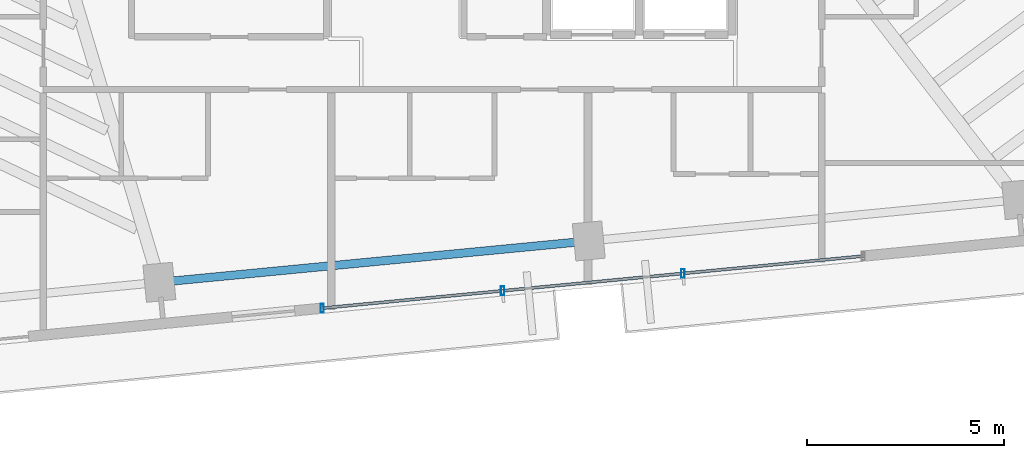
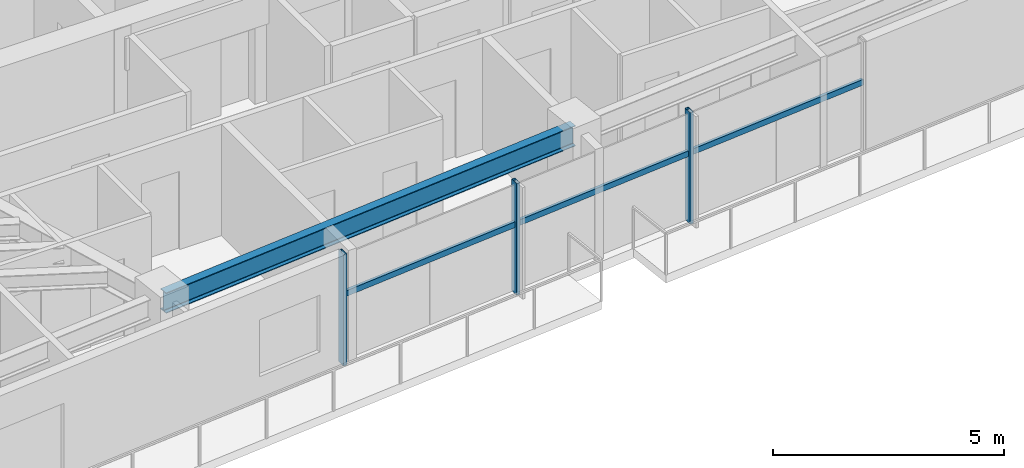
# One storey, part 4 of 18: 6 members, 1 beam, 1 element without a shape of its own.
"""IFC4 building model written with IfcOpenShell, lengths in metres."""

from ifc_helpers import new_model, si_unit, direction, frame, origin, origin_2d, place, context, subcontext, project, spatial, hollow_rectangle, i_section, extrude, source, transform, mapped, material, material_profile, profile_set, type_object, type_shapes, element, aggregate, save


model = new_model("IFC4")

# Units and contexts
model_context = context("Model", 3, precision=1e-05, world=origin(), true_north=direction((0.0, 1.0)))
body_context = subcontext(model_context, "Body", "Model", "MODEL_VIEW")
ifc_project = project(units=[si_unit("LENGTHUNIT", "METRE"), si_unit("AREAUNIT", "SQUARE_METRE"), si_unit("VOLUMEUNIT", "CUBIC_METRE"), si_unit("PLANEANGLEUNIT", "RADIAN"), si_unit("MASSUNIT", "GRAM", prefix="KILO")], contexts=[model_context])

# Site, building, storey
site_placement = place(None, origin())
site = spatial("IfcSite", under=ifc_project, at=site_placement, CompositionType="ELEMENT")
building_placement = place(site_placement, origin())
building = spatial("IfcBuilding", under=site, at=building_placement, Name="Astriad Promenade Condominiums", CompositionType="ELEMENT")
storey_placement = place(building_placement, frame((0.0, 0.0, 195.39990234375)))
storey = spatial("IfcBuildingStorey", under=building, at=storey_placement, Name="L56", CompositionType="ELEMENT", Elevation=195.39990234375)

# Beam
ifc_material_1 = material(Name="Steel ASTM A992 Grade 50", Category="steel")
ifc_material_profile_1 = material_profile(ifc_material_1, i_section(OverallWidth=0.210693359375, OverallDepth=0.53955078125, WebThickness=0.01171875, FlangeThickness=0.018798828125, FilletRadius=0.0166015625, at=origin_2d()), Name="W21X73")
ifc_profile_set_1 = profile_set([ifc_material_profile_1], Name="Steel ASTM A992 Grade 50")
beam_type = type_object("IfcBeamType", Name="STEEL SPANDREL BEAM W21X73", PredefinedType="SPANDREL", material=ifc_profile_set_1)
shared_shape_1 = source(origin(), body_context, "Body", "SweptSolid", [
    extrude(i_section(OverallWidth=0.210693359375, OverallDepth=0.53955078125, WebThickness=0.01171875, FlangeThickness=0.018798828125, FilletRadius=0.0166015625, at=origin_2d()), origin(), (0.0, 0.0, 1.0), 10.8701171875),
])
type_shapes(beam_type, [shared_shape_1])
beam_placement = place(storey_placement, frame((29.10888671875, 8.47119140625, 2.67041015625), z_axis=(0.995394986184, 0.09585834069, 0.0), x_axis=(-0.09585834069, 0.995394986184, 0.0)))
element("IfcBeam", 1, at=beam_placement, inside=storey, type_object=beam_type, Name="Perimeter Spandrel Beam SP-S2-L56", PredefinedType="SPANDREL", context=body_context, shape_type="MappedRepresentation", body=[
    mapped(shared_shape_1, transform((0.0, 0.0, 0.0), scale=1.0)),
])

# Curtain wall, members
ifc_material_2 = material(Name="Anodised aluminium Black Dark Glass Unitised", Category="aluminium")
curtain_wall_type = type_object("IfcCurtainWallType", Name="CW-B34-DARK", PredefinedType="USERDEFINED", material=ifc_material_2)
curtain_wall_placement = place(storey_placement, origin())
curtain_wall = element("IfcCurtainWall", 2, at=curtain_wall_placement, inside=storey, type_object=curtain_wall_type, Name="CW-L56-S", ObjectType="UNITISED_CURTAIN_WALL", PredefinedType="USERDEFINED")
ifc_material_3 = material(Name="Anodised aluminium 6063-T6 Black", Category="aluminium")
ifc_material_profile_2 = material_profile(ifc_material_3, hollow_rectangle(XDim=0.0849609375, YDim=0.219970703125, WallThickness=0.0048828125, at=origin_2d()), Name="ALU-MUL-85X220")
ifc_profile_set_2 = profile_set([ifc_material_profile_2], Name="Anodised aluminium 6063-T6 Black")
member_type_1 = type_object("IfcMemberType", Name="MUL-ALU-MUL-85X220", PredefinedType="MULLION", material=ifc_profile_set_2)
shared_shape_2 = source(origin(), body_context, "Body", "SweptSolid", [
    extrude(hollow_rectangle(XDim=0.0849609375, YDim=0.219970703125, WallThickness=0.0048828125, at=origin_2d()), origin(), (0.0, 0.0, 1.0), 2.940185546875),
])
type_shapes(member_type_1, [shared_shape_2])
member_1_placement = place(storey_placement, frame((42.358642578125, 8.692138671875, 0.0), z_axis=(0.0, 0.0, 1.0), x_axis=(1.0, 0.0, 0.0)))
member_1 = element("IfcMember", 3, at=member_1_placement, type_object=member_type_1, Name="CW-L56-S-MUL-01", PredefinedType="MULLION", context=body_context, shape_type="MappedRepresentation", body=[
    mapped(shared_shape_2, transform((0.0, 0.0, 0.0), scale=1.0)),
])
member_2_placement = place(storey_placement, frame((37.77978515625, 8.251220703125, 0.0), z_axis=(0.0, 0.0, 1.0), x_axis=(1.0, 0.0, 0.0)))
member_2 = element("IfcMember", 4, at=member_2_placement, type_object=member_type_1, Name="CW-L56-S-MUL-02", PredefinedType="MULLION", context=body_context, shape_type="MappedRepresentation", body=[
    mapped(shared_shape_2, transform((0.0, 0.0, 0.0), scale=1.0)),
])
member_3_placement = place(storey_placement, frame((33.201171875, 7.810302734375, 0.0), z_axis=(0.0, 0.0, 1.0), x_axis=(1.0, 0.0, 0.0)))
member_3 = element("IfcMember", 5, at=member_3_placement, type_object=member_type_1, Name="CW-L56-S-MUL-03", PredefinedType="MULLION", context=body_context, shape_type="MappedRepresentation", body=[
    mapped(shared_shape_2, transform((0.0, 0.0, 0.0), scale=1.0)),
])
ifc_material_profile_3 = material_profile(ifc_material_3, hollow_rectangle(XDim=0.074951171875, YDim=0.14990234375, WallThickness=0.004150390625, at=origin_2d()), Name="ALU-TRN-75X150")
ifc_profile_set_3 = profile_set([ifc_material_profile_3], Name="Anodised aluminium 6063-T6 Black")
member_type_2 = type_object("IfcMemberType", Name="TRN-ALU-TRN-75X150", PredefinedType="USERDEFINED", material=ifc_profile_set_3)
shared_shape_3 = source(origin(), body_context, "Body", "SweptSolid", [
    extrude(hollow_rectangle(XDim=0.074951171875, YDim=0.14990234375, WallThickness=0.004150390625, at=origin_2d()), origin(), (0.0, 0.0, 1.0), 4.60009765625),
])
member_4_placement = place(storey_placement, frame((46.9375, 9.133056640625, 1.822998046875), z_axis=(-0.995395697572, -0.095850953336, 0.0), x_axis=(0.095850953336, -0.995395697572, 0.0)))
member_4 = element("IfcMember", 6, at=member_4_placement, type_object=member_type_2, Name="CW-L56-S-TRN-00-0", ObjectType="TRANSOM", PredefinedType="USERDEFINED", context=body_context, shape_type="MappedRepresentation", body=[
    mapped(shared_shape_3, transform((0.0, 0.0, 0.0), scale=1.0)),
])
member_5_placement = place(storey_placement, frame((42.358642578125, 8.692138671875, 1.822998046875), z_axis=(-0.995395697572, -0.095850953336, 0.0), x_axis=(0.095850953336, -0.995395697572, 0.0)))
member_5 = element("IfcMember", 7, at=member_5_placement, type_object=member_type_2, Name="CW-L56-S-TRN-01-0", ObjectType="TRANSOM", PredefinedType="USERDEFINED", context=body_context, shape_type="MappedRepresentation", body=[
    mapped(shared_shape_3, transform((0.0, 0.0, 0.0), scale=1.0)),
])
shared_shape_4 = source(origin(), body_context, "Body", "SweptSolid", [
    extrude(hollow_rectangle(XDim=0.074951171875, YDim=0.14990234375, WallThickness=0.004150390625, at=origin_2d()), origin(), (0.0, 0.0, 1.0), 4.599853515625),
])
type_shapes(member_type_2, [shared_shape_3, shared_shape_4])
member_6_placement = place(storey_placement, frame((37.77978515625, 8.251220703125, 1.822998046875), z_axis=(-0.995395209924, -0.095856017336, 0.0), x_axis=(0.095856017336, -0.995395209924, 0.0)))
member_6 = element("IfcMember", 8, at=member_6_placement, type_object=member_type_2, Name="CW-L56-S-TRN-02-0", ObjectType="TRANSOM", PredefinedType="USERDEFINED", context=body_context, shape_type="MappedRepresentation", body=[
    mapped(shared_shape_4, transform((0.0, 0.0, 0.0), scale=1.0)),
])
aggregate(curtain_wall, [member_1, member_2, member_3, member_4, member_5, member_6])

save(model, "model.ifc")
